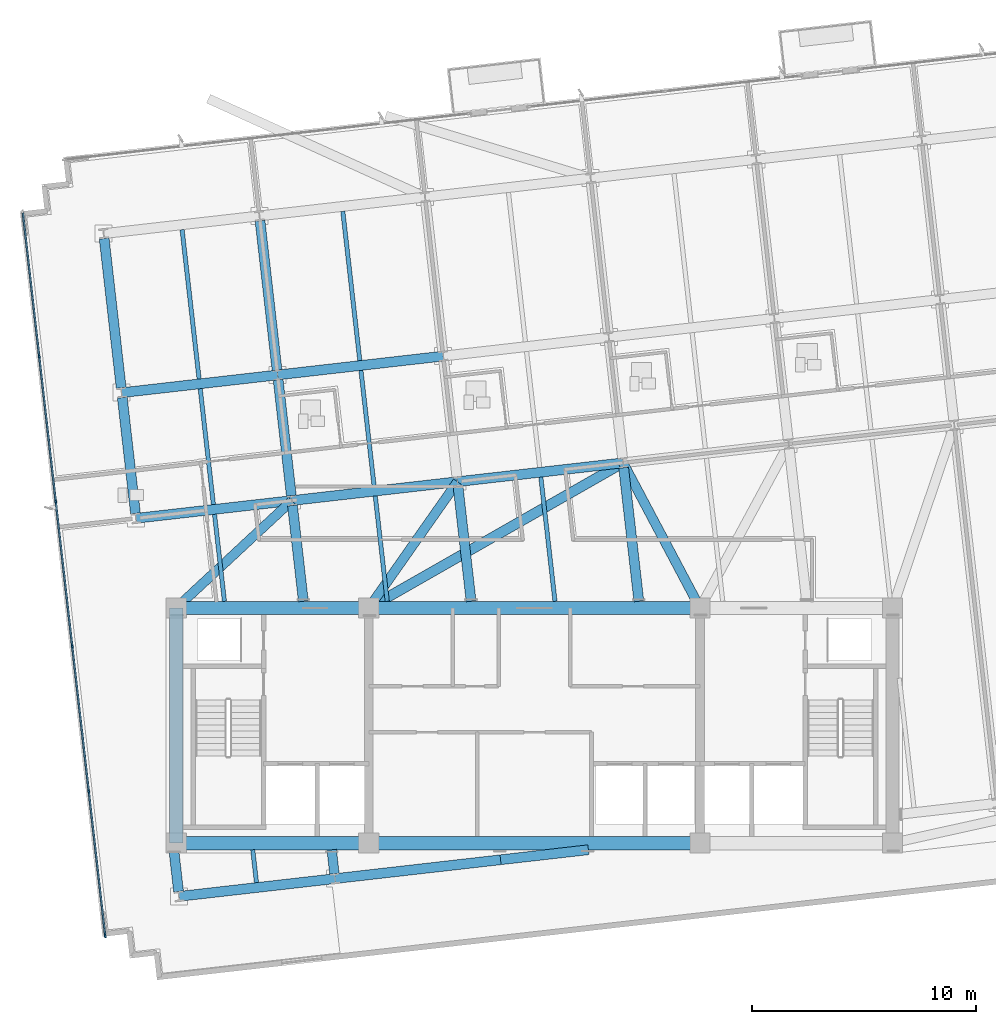
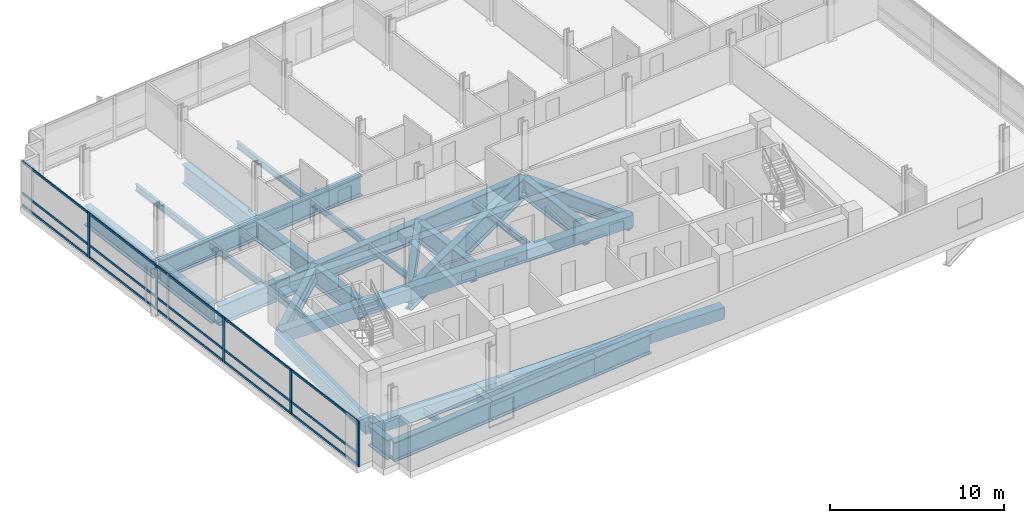
# One storey, part 2 of 15: 34 beams, 20 members, 1 element without a shape of its own.
"""IFC4 building model written with IfcOpenShell, lengths in metres."""

from ifc_helpers import new_model, si_unit, direction, frame, origin, origin_2d, place, context, subcontext, project, spatial, rectangle, i_section, extrude, material, material_profile, profile_set, type_object, element, aggregate, save


model = new_model("IFC4")

# Units and contexts
model_context = context("Model", 3, precision=1e-05, world=origin(), true_north=direction((0.0, 1.0)))
body_context = subcontext(model_context, "Body", "Model", "MODEL_VIEW")
ifc_project = project(units=[si_unit("LENGTHUNIT", "METRE"), si_unit("AREAUNIT", "SQUARE_METRE"), si_unit("VOLUMEUNIT", "CUBIC_METRE"), si_unit("PLANEANGLEUNIT", "RADIAN"), si_unit("MASSUNIT", "GRAM", prefix="KILO")], contexts=[model_context])

# Site, building, storey
site_placement = place(None, origin())
site = spatial("IfcSite", under=ifc_project, at=site_placement, CompositionType="ELEMENT")
building_placement = place(site_placement, origin())
building = spatial("IfcBuilding", under=site, at=building_placement, Name="Solmavex Isthmus Hotel", CompositionType="ELEMENT")
storey_placement = place(building_placement, frame((0.0, 0.0, 191.699951171875)))
storey = spatial("IfcBuildingStorey", under=building, at=storey_placement, Name="L51", CompositionType="ELEMENT", Elevation=191.699951171875)

# Beams
ifc_material_1 = material(Name="Steel ASTM A992 Grade 50", Category="steel")
ifc_material_profile_1 = material_profile(ifc_material_1, i_section(OverallWidth=0.1904296875, OverallDepth=0.456787109375, WebThickness=0.009033203125, FlangeThickness=0.014404296875, FilletRadius=0.0126953125, at=origin_2d()), Name="W18X50")
ifc_profile_set_1 = profile_set([ifc_material_profile_1], Name="Steel ASTM A992 Grade 50")
beam_type_1 = type_object("IfcBeamType", Name="BM-BJ-W18X50", PredefinedType="JOIST", material=ifc_profile_set_1)
beam_1_placement = place(storey_placement, frame((-12.416015625, -14.76806640625, -0.678466796875), z_axis=(-0.113187747897, 0.993573617668, 0.0), x_axis=(-0.993573617668, -0.113187747897, 0.0)))
element("IfcBeam", 1, at=beam_1_placement, inside=storey, type_object=beam_type_1, Name="Secondary Floor Joist L51-J01", PredefinedType="JOIST", context=body_context, shape_type="SweptSolid", body=[
    extrude(i_section(OverallWidth=0.1904296875, OverallDepth=0.456787109375, WebThickness=0.009033203125, FlangeThickness=0.014404296875, FilletRadius=0.0126953125, at=origin_2d()), origin(), (0.0, 0.0, 1.0), 1.4775390625),
])
beam_2_placement = place(storey_placement, frame((-13.847900390625, -2.199951171875, -0.678466796875), z_axis=(-0.113185636501, 0.993573858196, 0.0), x_axis=(-0.993573858196, -0.113185636501, 0.0)))
element("IfcBeam", 2, at=beam_2_placement, inside=storey, type_object=beam_type_1, Name="Secondary Floor Joist L51-J02", PredefinedType="JOIST", context=body_context, shape_type="SweptSolid", body=[
    extrude(i_section(OverallWidth=0.1904296875, OverallDepth=0.456787109375, WebThickness=0.009033203125, FlangeThickness=0.014404296875, FilletRadius=0.0126953125, at=origin_2d()), origin(), (0.0, 0.0, 1.0), 3.91064453125),
])
beam_3_placement = place(storey_placement, frame((-14.34033203125, 2.12255859375, -0.678466796875), z_axis=(-0.113209451059, 0.993571145007, 0.0), x_axis=(-0.993571145007, -0.113209451059, 0.0)))
element("IfcBeam", 3, at=beam_3_placement, inside=storey, type_object=beam_type_1, Name="Secondary Floor Joist L51-J03", PredefinedType="JOIST", context=body_context, shape_type="SweptSolid", body=[
    extrude(i_section(OverallWidth=0.1904296875, OverallDepth=0.456787109375, WebThickness=0.009033203125, FlangeThickness=0.014404296875, FilletRadius=0.0126953125, at=origin_2d()), origin(), (0.0, 0.0, 1.0), 5.2080078125),
])
beam_4_placement = place(storey_placement, frame((-14.979736328125, 7.734375, -0.678466796875), z_axis=(-0.113197786533, 0.993572474017, 0.0), x_axis=(-0.993572474017, -0.113197786533, 0.0)))
element("IfcBeam", 4, at=beam_4_placement, inside=storey, type_object=beam_type_1, Name="Secondary Floor Joist L51-J04", PredefinedType="JOIST", context=body_context, shape_type="SweptSolid", body=[
    extrude(i_section(OverallWidth=0.1904296875, OverallDepth=0.456787109375, WebThickness=0.009033203125, FlangeThickness=0.014404296875, FilletRadius=0.0126953125, at=origin_2d()), origin(), (0.0, 0.0, 1.0), 6.7119140625),
])
beam_5_placement = place(storey_placement, frame((-6.57421875, -2.199951171875, -0.678466796875), z_axis=(-0.113198966336, 0.993572339601, 0.0), x_axis=(-0.993572339601, -0.113198966336, 0.0)))
element("IfcBeam", 5, at=beam_5_placement, inside=storey, type_object=beam_type_1, Name="Secondary Floor Joist L51-J05", PredefinedType="JOIST", context=body_context, shape_type="SweptSolid", body=[
    extrude(i_section(OverallWidth=0.1904296875, OverallDepth=0.456787109375, WebThickness=0.009033203125, FlangeThickness=0.014404296875, FilletRadius=0.0126953125, at=origin_2d()), origin(), (0.0, 0.0, 1.0), 4.734130859375),
])
beam_6_placement = place(storey_placement, frame((-7.159912109375, 2.940673828125, -0.678466796875), z_axis=(-0.113209451059, 0.993571145007, 0.0), x_axis=(-0.993571145007, -0.113209451059, 0.0)))
element("IfcBeam", 6, at=beam_6_placement, inside=storey, type_object=beam_type_1, Name="Secondary Floor Joist L51-J06", PredefinedType="JOIST", context=body_context, shape_type="SweptSolid", body=[
    extrude(i_section(OverallWidth=0.1904296875, OverallDepth=0.456787109375, WebThickness=0.009033203125, FlangeThickness=0.014404296875, FilletRadius=0.0126953125, at=origin_2d()), origin(), (0.0, 0.0, 1.0), 5.2080078125),
])
beam_7_placement = place(storey_placement, frame((-7.79931640625, 8.552490234375, -0.678466796875), z_axis=(-0.113197786533, 0.993572474017, 0.0), x_axis=(-0.993572474017, -0.113197786533, 0.0)))
element("IfcBeam", 7, at=beam_7_placement, inside=storey, type_object=beam_type_1, Name="Secondary Floor Joist L51-J07", PredefinedType="JOIST", context=body_context, shape_type="SweptSolid", body=[
    extrude(i_section(OverallWidth=0.1904296875, OverallDepth=0.456787109375, WebThickness=0.009033203125, FlangeThickness=0.014404296875, FilletRadius=0.0126953125, at=origin_2d()), origin(), (0.0, 0.0, 1.0), 6.7119140625),
])
beam_8_placement = place(storey_placement, frame((0.920166015625, -2.199951171875, -0.678466796875), z_axis=(-0.113229586844, 0.99356885049, 0.0), x_axis=(-0.99356885049, -0.113229586844, 0.0)))
element("IfcBeam", 8, at=beam_8_placement, inside=storey, type_object=beam_type_1, Name="Secondary Floor Joist L51-J08", PredefinedType="JOIST", context=body_context, shape_type="SweptSolid", body=[
    extrude(i_section(OverallWidth=0.1904296875, OverallDepth=0.456787109375, WebThickness=0.009033203125, FlangeThickness=0.014404296875, FilletRadius=0.0126953125, at=origin_2d()), origin(), (0.0, 0.0, 1.0), 5.582275390625),
])
ifc_material_2 = material(Name="Concrete C50/60", Category="concrete")
ifc_material_profile_2 = material_profile(ifc_material_2, rectangle(XDim=0.60009765625, YDim=0.85009765625, at=origin_2d()), Name="RC600X850")
ifc_profile_set_2 = profile_set([ifc_material_profile_2], Name="Concrete C50/60")
beam_type_2 = type_object("IfcBeamType", Name="BM-CB-600X850", PredefinedType="BEAM", material=ifc_profile_set_2)
beam_9_placement = place(storey_placement, frame((-16.0, -13.0, -0.875), z_axis=(1.0, 0.0, 0.0), x_axis=(0.0, 1.0, 0.0)))
element("IfcBeam", 9, at=beam_9_placement, inside=storey, type_object=beam_type_2, Name="Core Coupling Beam L51-CB1", PredefinedType="BEAM", context=body_context, shape_type="SweptSolid", body=[
    extrude(rectangle(XDim=0.60009765625, YDim=0.85009765625, at=origin_2d()), origin(), (0.0, 0.0, 1.0), 8.60009765625),
])
beam_10_placement = place(storey_placement, frame((-7.39990234375, -13.0, -0.875), z_axis=(1.0, 0.0, 0.0), x_axis=(0.0, 1.0, 0.0)))
element("IfcBeam", 10, at=beam_10_placement, inside=storey, type_object=beam_type_2, Name="Core Coupling Beam L51-CB2", PredefinedType="BEAM", context=body_context, shape_type="SweptSolid", body=[
    extrude(rectangle(XDim=0.60009765625, YDim=0.85009765625, at=origin_2d()), origin(), (0.0, 0.0, 1.0), 14.7998046875),
])
beam_11_placement = place(storey_placement, frame((-16.0, -2.5, -0.764892578125), z_axis=(1.0, 0.0, 0.0), x_axis=(0.0, 1.0, 0.0)))
element("IfcBeam", 11, at=beam_11_placement, inside=storey, type_object=beam_type_2, Name="Core Coupling Beam L51-CB4", PredefinedType="BEAM", context=body_context, shape_type="SweptSolid", body=[
    extrude(rectangle(XDim=0.60009765625, YDim=0.85009765625, at=origin_2d()), origin(), (0.0, 0.0, 1.0), 8.60009765625),
])
beam_12_placement = place(storey_placement, frame((-7.39990234375, -2.5, -0.764892578125), z_axis=(1.0, 0.0, 0.0), x_axis=(0.0, 1.0, 0.0)))
element("IfcBeam", 12, at=beam_12_placement, inside=storey, type_object=beam_type_2, Name="Core Coupling Beam L51-CB5", PredefinedType="BEAM", context=body_context, shape_type="SweptSolid", body=[
    extrude(rectangle(XDim=0.60009765625, YDim=0.85009765625, at=origin_2d()), origin(), (0.0, 0.0, 1.0), 14.7998046875),
])
beam_13_placement = place(storey_placement, frame((-16.0, -13.0, -0.875), z_axis=(0.0, 1.0, 0.0), x_axis=(-1.0, 0.0, 0.0)))
element("IfcBeam", 13, at=beam_13_placement, inside=storey, type_object=beam_type_2, Name="Core Coupling Beam L51-CB7", PredefinedType="BEAM", context=body_context, shape_type="SweptSolid", body=[
    extrude(rectangle(XDim=0.60009765625, YDim=0.85009765625, at=origin_2d()), origin(), (0.0, 0.0, 1.0), 10.5),
])
ifc_material_3 = material(Name="Steel ASTM A572 Grade 50", Category="steel")
ifc_material_profile_3 = material_profile(ifc_material_3, i_section(OverallWidth=0.449951171875, OverallDepth=1.550048828125, WebThickness=0.031982421875, FlangeThickness=0.06494140625, FilletRadius=0.030517578125, at=origin_2d()), Name="I1550X450")
ifc_profile_set_3 = profile_set([ifc_material_profile_3], Name="Steel ASTM A572 Grade 50")
beam_type_3 = type_object("IfcBeamType", Name="BM-TB-G1550", PredefinedType="BEAM", material=ifc_profile_set_3)
beam_14_placement = place(storey_placement, frame((-7.39990234375, -2.5, -1.224853515625), z_axis=(0.86844173524, 0.495791238823, 0.0), x_axis=(-0.495791238823, 0.86844173524, 0.0)))
element("IfcBeam", 14, at=beam_14_placement, inside=storey, type_object=beam_type_3, Name="Core Outrigger Strut L50-OTCW", PredefinedType="BEAM", context=body_context, shape_type="SweptSolid", body=[
    extrude(i_section(OverallWidth=0.449951171875, OverallDepth=1.550048828125, WebThickness=0.031982421875, FlangeThickness=0.06494140625, FilletRadius=0.030517578125, at=origin_2d()), origin(), (0.0, 0.0, 1.0), 13.083251953125),
])
ifc_material_4 = material(Name="Steel ASTM A913 Grade 65", Category="steel")
ifc_material_profile_4 = material_profile(ifc_material_4, i_section(OverallWidth=0.42431640625, OverallDepth=1.09228515625, WebThickness=0.04541015625, FlangeThickness=0.08203125, FilletRadius=0.030517578125, at=origin_2d()), Name="W40X593")
ifc_profile_set_4 = profile_set([ifc_material_profile_4], Name="Steel ASTM A913 Grade 65")
beam_type_4 = type_object("IfcBeamType", Name="BM-TB-W40X397", PredefinedType="BEAM", material=ifc_profile_set_4)
beam_15_placement = place(storey_placement, frame((7.39990234375, -2.5, -0.99609375), z_axis=(-0.468278837976, 0.883580743285, 0.0), x_axis=(-0.883580743285, -0.468278837976, 0.0)))
element("IfcBeam", 15, at=beam_15_placement, inside=storey, type_object=beam_type_4, Name="Core Outrigger Strut L50-OTCE", PredefinedType="BEAM", context=body_context, shape_type="SweptSolid", body=[
    extrude(i_section(OverallWidth=0.42431640625, OverallDepth=1.09228515625, WebThickness=0.04541015625, FlangeThickness=0.08203125, FilletRadius=0.030517578125, at=origin_2d()), origin(), (0.0, 0.0, 1.0), 7.34130859375),
])
beam_16_placement = place(storey_placement, frame((-16.0, -2.5, -0.99609375), z_axis=(0.732527110288, 0.680737859013, 0.0), x_axis=(-0.680737859013, 0.732527110288, 0.0)))
element("IfcBeam", 16, at=beam_16_placement, inside=storey, type_object=beam_type_4, Name="Core Outrigger Strut L50-OTNW", PredefinedType="BEAM", context=body_context, shape_type="SweptSolid", body=[
    extrude(i_section(OverallWidth=0.42431640625, OverallDepth=1.09228515625, WebThickness=0.04541015625, FlangeThickness=0.08203125, FilletRadius=0.030517578125, at=origin_2d()), origin(), (0.0, 0.0, 1.0), 7.05224609375),
])
ifc_material_profile_5 = material_profile(ifc_material_3, i_section(OverallWidth=0.43994140625, OverallDepth=1.3798828125, WebThickness=0.030029296875, FlangeThickness=0.054931640625, FilletRadius=0.030517578125, at=origin_2d()), Name="I1380X440")
ifc_profile_set_5 = profile_set([ifc_material_profile_5], Name="Steel ASTM A572 Grade 50")
beam_type_5 = type_object("IfcBeamType", Name="BM-TG-I1380", PredefinedType="BEAM", material=ifc_profile_set_5)
beam_17_placement = place(storey_placement, frame((-15.87255859375, -15.38330078125, -1.139892578125), z_axis=(0.993574039862, 0.113184041777, 0.0), x_axis=(-0.113184041777, 0.993574039862, 0.0)))
element("IfcBeam", 17, at=beam_17_placement, inside=storey, type_object=beam_type_5, Name="Outrigger Collector Girder L51-UG01", PredefinedType="BEAM", context=body_context, shape_type="SweptSolid", body=[
    extrude(i_section(OverallWidth=0.43994140625, OverallDepth=1.3798828125, WebThickness=0.030029296875, FlangeThickness=0.054931640625, FilletRadius=0.030517578125, at=origin_2d()), origin(), (0.0, 0.0, 1.0), 7.008056640625),
])
beam_18_placement = place(storey_placement, frame((-8.909423828125, -14.590087890625, -1.139892578125), z_axis=(0.993569926006, 0.113220148984, 0.0), x_axis=(-0.113220148984, 0.993569926006, 0.0)))
element("IfcBeam", 18, at=beam_18_placement, inside=storey, type_object=beam_type_5, Name="Outrigger Collector Girder L51-UG02", PredefinedType="BEAM", context=body_context, shape_type="SweptSolid", body=[
    extrude(i_section(OverallWidth=0.43994140625, OverallDepth=1.3798828125, WebThickness=0.030029296875, FlangeThickness=0.054931640625, FilletRadius=0.030517578125, at=origin_2d()), origin(), (0.0, 0.0, 1.0), 7.44580078125),
])
beam_19_placement = place(storey_placement, frame((-1.511474609375, -13.7470703125, -1.139892578125), z_axis=(0.993575434773, 0.113171796023, 0.0), x_axis=(-0.113171796023, 0.993575434773, 0.0)))
element("IfcBeam", 19, at=beam_19_placement, inside=storey, type_object=beam_type_5, Name="Outrigger Collector Girder L51-UG03", PredefinedType="BEAM", context=body_context, shape_type="SweptSolid", body=[
    extrude(i_section(OverallWidth=0.43994140625, OverallDepth=1.3798828125, WebThickness=0.030029296875, FlangeThickness=0.054931640625, FilletRadius=0.030517578125, at=origin_2d()), origin(), (0.0, 0.0, 1.0), 3.949951171875),
])
beam_20_placement = place(storey_placement, frame((-17.796875, 1.50732421875, -1.139892578125), z_axis=(0.993569675103, 0.113222350774, 0.0), x_axis=(-0.113222350774, 0.993569675103, 0.0)))
element("IfcBeam", 20, at=beam_20_placement, inside=storey, type_object=beam_type_5, Name="Outrigger Collector Girder L51-UG06", PredefinedType="BEAM", context=body_context, shape_type="SweptSolid", body=[
    extrude(i_section(OverallWidth=0.43994140625, OverallDepth=1.3798828125, WebThickness=0.030029296875, FlangeThickness=0.054931640625, FilletRadius=0.030517578125, at=origin_2d()), origin(), (0.0, 0.0, 1.0), 7.008056640625),
])
beam_21_placement = place(storey_placement, frame((-10.833984375, 2.30078125, -1.139892578125), z_axis=(0.993574034044, 0.113184092846, 0.0), x_axis=(-0.113184092846, 0.993574034044, 0.0)))
element("IfcBeam", 21, at=beam_21_placement, inside=storey, type_object=beam_type_5, Name="Outrigger Collector Girder L51-UG07", PredefinedType="BEAM", context=body_context, shape_type="SweptSolid", body=[
    extrude(i_section(OverallWidth=0.43994140625, OverallDepth=1.3798828125, WebThickness=0.030029296875, FlangeThickness=0.054931640625, FilletRadius=0.030517578125, at=origin_2d()), origin(), (0.0, 0.0, 1.0), 7.446044921875),
])
beam_22_placement = place(storey_placement, frame((-3.435791015625, 3.1435546875, -1.139892578125), z_axis=(0.993569926006, 0.113220148984, 0.0), x_axis=(-0.113220148984, 0.993569926006, 0.0)))
element("IfcBeam", 22, at=beam_22_placement, inside=storey, type_object=beam_type_5, Name="Outrigger Collector Girder L51-UG08", PredefinedType="BEAM", context=body_context, shape_type="SweptSolid", body=[
    extrude(i_section(OverallWidth=0.43994140625, OverallDepth=1.3798828125, WebThickness=0.030029296875, FlangeThickness=0.054931640625, FilletRadius=0.030517578125, at=origin_2d()), origin(), (0.0, 0.0, 1.0), 7.44580078125),
])
beam_23_placement = place(storey_placement, frame((-18.436279296875, 7.119140625, -1.139892578125), z_axis=(0.99357359356, 0.113187959519, 0.0), x_axis=(-0.113187959519, 0.99357359356, 0.0)))
element("IfcBeam", 23, at=beam_23_placement, inside=storey, type_object=beam_type_5, Name="Outrigger Collector Girder L51-UG12", PredefinedType="BEAM", context=body_context, shape_type="SweptSolid", body=[
    extrude(i_section(OverallWidth=0.43994140625, OverallDepth=1.3798828125, WebThickness=0.030029296875, FlangeThickness=0.054931640625, FilletRadius=0.030517578125, at=origin_2d()), origin(), (0.0, 0.0, 1.0), 7.0078125),
])
beam_24_placement = place(storey_placement, frame((-11.473388671875, 7.912353515625, -1.139892578125), z_axis=(0.9935703463, 0.113216460607, 0.0), x_axis=(-0.113216460607, 0.9935703463, 0.0)))
element("IfcBeam", 24, at=beam_24_placement, inside=storey, type_object=beam_type_5, Name="Outrigger Collector Girder L51-UG13", PredefinedType="BEAM", context=body_context, shape_type="SweptSolid", body=[
    extrude(i_section(OverallWidth=0.43994140625, OverallDepth=1.3798828125, WebThickness=0.030029296875, FlangeThickness=0.054931640625, FilletRadius=0.030517578125, at=origin_2d()), origin(), (0.0, 0.0, 1.0), 7.446044921875),
])
beam_25_placement = place(storey_placement, frame((-15.8974609375, -15.164794921875, -1.139892578125), z_axis=(-0.113172371204, 0.993575369258, 0.0), x_axis=(-0.993575369258, -0.113172371204, 0.0)))
element("IfcBeam", 25, at=beam_25_placement, inside=storey, type_object=beam_type_5, Name="Outrigger Collector Beam L51-VG24", PredefinedType="BEAM", context=body_context, shape_type="SweptSolid", body=[
    extrude(i_section(OverallWidth=0.43994140625, OverallDepth=1.3798828125, WebThickness=0.030029296875, FlangeThickness=0.054931640625, FilletRadius=0.030517578125, at=origin_2d()), origin(), (0.0, 0.0, 1.0), 1.876708984375),
])
beam_26_placement = place(storey_placement, frame((-17.82177734375, 1.725830078125, -1.139892578125), z_axis=(-0.113209451059, 0.993571145007, 0.0), x_axis=(-0.993571145007, -0.113209451059, 0.0)))
element("IfcBeam", 26, at=beam_26_placement, inside=storey, type_object=beam_type_5, Name="Outrigger Collector Beam L51-VG25", PredefinedType="BEAM", context=body_context, shape_type="SweptSolid", body=[
    extrude(i_section(OverallWidth=0.43994140625, OverallDepth=1.3798828125, WebThickness=0.030029296875, FlangeThickness=0.054931640625, FilletRadius=0.030517578125, at=origin_2d()), origin(), (0.0, 0.0, 1.0), 5.2080078125),
])
beam_27_placement = place(storey_placement, frame((-18.461181640625, 7.337646484375, -1.139892578125), z_axis=(-0.11319369562, 0.993572940086, 0.0), x_axis=(-0.993572940086, -0.11319369562, 0.0)))
element("IfcBeam", 27, at=beam_27_placement, inside=storey, type_object=beam_type_5, Name="Outrigger Collector Beam L51-VG26", PredefinedType="BEAM", context=body_context, shape_type="SweptSolid", body=[
    extrude(i_section(OverallWidth=0.43994140625, OverallDepth=1.3798828125, WebThickness=0.030029296875, FlangeThickness=0.054931640625, FilletRadius=0.030517578125, at=origin_2d()), origin(), (0.0, 0.0, 1.0), 6.712158203125),
])
beam_28_placement = place(storey_placement, frame((-10.3212890625, -2.199951171875, -1.139892578125), z_axis=(-0.113185506487, 0.993573873007, 0.0), x_axis=(-0.993573873007, -0.113185506487, 0.0)))
element("IfcBeam", 28, at=beam_28_placement, inside=storey, type_object=beam_type_5, Name="Outrigger Collector Beam L51-VG28", PredefinedType="BEAM", context=body_context, shape_type="SweptSolid", body=[
    extrude(i_section(OverallWidth=0.43994140625, OverallDepth=1.3798828125, WebThickness=0.030029296875, FlangeThickness=0.054931640625, FilletRadius=0.030517578125, at=origin_2d()), origin(), (0.0, 0.0, 1.0), 4.3095703125),
])
beam_29_placement = place(storey_placement, frame((-10.85888671875, 2.519287109375, -1.139892578125), z_axis=(-0.113209451059, 0.993571145007, 0.0), x_axis=(-0.993571145007, -0.113209451059, 0.0)))
element("IfcBeam", 29, at=beam_29_placement, inside=storey, type_object=beam_type_5, Name="Outrigger Collector Beam L51-VG29", PredefinedType="BEAM", context=body_context, shape_type="SweptSolid", body=[
    extrude(i_section(OverallWidth=0.43994140625, OverallDepth=1.3798828125, WebThickness=0.030029296875, FlangeThickness=0.054931640625, FilletRadius=0.030517578125, at=origin_2d()), origin(), (0.0, 0.0, 1.0), 5.2080078125),
])
beam_30_placement = place(storey_placement, frame((-11.498291015625, 8.130859375, -1.139892578125), z_axis=(-0.11319369562, 0.993572940086, 0.0), x_axis=(-0.993572940086, -0.11319369562, 0.0)))
element("IfcBeam", 30, at=beam_30_placement, inside=storey, type_object=beam_type_5, Name="Outrigger Collector Beam L51-VG30", PredefinedType="BEAM", context=body_context, shape_type="SweptSolid", body=[
    extrude(i_section(OverallWidth=0.43994140625, OverallDepth=1.3798828125, WebThickness=0.030029296875, FlangeThickness=0.054931640625, FilletRadius=0.030517578125, at=origin_2d()), origin(), (0.0, 0.0, 1.0), 6.712158203125),
])
beam_31_placement = place(storey_placement, frame((-2.8271484375, -2.199951171875, -1.139892578125), z_axis=(-0.113168810858, 0.99357577479, 0.0), x_axis=(-0.99357577479, -0.113168810858, 0.0)))
element("IfcBeam", 31, at=beam_31_placement, inside=storey, type_object=beam_type_5, Name="Outrigger Collector Beam L51-VG31", PredefinedType="BEAM", context=body_context, shape_type="SweptSolid", body=[
    extrude(i_section(OverallWidth=0.43994140625, OverallDepth=1.3798828125, WebThickness=0.030029296875, FlangeThickness=0.054931640625, FilletRadius=0.030517578125, at=origin_2d()), origin(), (0.0, 0.0, 1.0), 5.158203125),
])
beam_32_placement = place(storey_placement, frame((4.667236328125, -2.199951171875, -1.139892578125), z_axis=(-0.113241653821, 0.993567475233, 0.0), x_axis=(-0.993567475233, -0.113241653821, 0.0)))
element("IfcBeam", 32, at=beam_32_placement, inside=storey, type_object=beam_type_5, Name="Outrigger Collector Beam L51-VG34", PredefinedType="BEAM", context=body_context, shape_type="SweptSolid", body=[
    extrude(i_section(OverallWidth=0.43994140625, OverallDepth=1.3798828125, WebThickness=0.030029296875, FlangeThickness=0.054931640625, FilletRadius=0.030517578125, at=origin_2d()), origin(), (0.0, 0.0, 1.0), 6.00634765625),
])
ifc_material_profile_6 = material_profile(ifc_material_4, i_section(OverallWidth=0.42431640625, OverallDepth=1.09228515625, WebThickness=0.04541015625, FlangeThickness=0.08203125, FilletRadius=0.030517578125, at=origin_2d()), Name="W40X593")
ifc_profile_set_6 = profile_set([ifc_material_profile_6], Name="Steel ASTM A913 Grade 65")
beam_type_6 = type_object("IfcBeamType", Name="BM-TG-W40X593", PredefinedType="BEAM", material=ifc_profile_set_6)
beam_33_placement = place(storey_placement, frame((-7.39990234375, -2.5, -0.99609375), z_axis=(0.57478730587, 0.818302849201, 0.0), x_axis=(-0.818302849201, 0.57478730587, 0.0)))
element("IfcBeam", 33, at=beam_33_placement, inside=storey, type_object=beam_type_6, Name="Core Outrigger Strut L50-OTW", PredefinedType="BEAM", context=body_context, shape_type="SweptSolid", body=[
    extrude(i_section(OverallWidth=0.42431640625, OverallDepth=1.09228515625, WebThickness=0.04541015625, FlangeThickness=0.08203125, FilletRadius=0.030517578125, at=origin_2d()), origin(), (0.0, 0.0, 1.0), 6.896728515625),
])
beam_34_placement = place(storey_placement, frame((-8.9345703125, -14.37158203125, -0.99609375), z_axis=(-0.113189048699, 0.99357346948, 0.0), x_axis=(-0.99357346948, -0.113189048699, 0.0)))
element("IfcBeam", 34, at=beam_34_placement, inside=storey, type_object=beam_type_6, Name="Outrigger Collector Beam L51-VG27", PredefinedType="BEAM", context=body_context, shape_type="SweptSolid", body=[
    extrude(i_section(OverallWidth=0.42431640625, OverallDepth=1.09228515625, WebThickness=0.04541015625, FlangeThickness=0.08203125, FilletRadius=0.030517578125, at=origin_2d()), origin(), (0.0, 0.0, 1.0), 1.078369140625),
])

# Curtain wall, members
ifc_material_5 = material(Name="Aluminium alloy 6063-T6", Category="aluminium")
curtain_wall_type = type_object("IfcCurtainWallType", Name="CW-SYS-04", PredefinedType="NOTDEFINED", material=ifc_material_5)
curtain_wall_placement = place(storey_placement, origin())
curtain_wall = element("IfcCurtainWall", 35, at=curtain_wall_placement, inside=storey, type_object=curtain_wall_type, Name="Stick Curtain Wall CWL-L51-W1", PredefinedType="NOTDEFINED")
ifc_material_profile_7 = material_profile(ifc_material_5, rectangle(XDim=0.074951171875, YDim=0.199951171875, at=origin_2d()), Name="CWM-75X200")
ifc_profile_set_7 = profile_set([ifc_material_profile_7], Name="Aluminium alloy 6063-T6")
member_type_1 = type_object("IfcMemberType", Name="CW-SYS-04-MUL", PredefinedType="MULLION", material=ifc_profile_set_7)
member_1_placement = place(storey_placement, frame((-19.17578125, -17.131103515625, 0.0), z_axis=(0.0, 0.0, 1.0), x_axis=(-0.993571836648, -0.11320338078, 0.0)))
member_1 = element("IfcMember", 36, at=member_1_placement, type_object=member_type_1, Name="CW-04 mullion 1", PredefinedType="MULLION", context=body_context, shape_type="SweptSolid", body=[
    extrude(rectangle(XDim=0.074951171875, YDim=0.199951171875, at=origin_2d()), origin(), (0.0, 0.0, 1.0), 3.18994140625),
])
member_2_placement = place(storey_placement, frame((-19.90966796875, -10.690185546875, 0.0), z_axis=(0.0, 0.0, 1.0), x_axis=(-0.993571836648, -0.11320338078, 0.0)))
member_2 = element("IfcMember", 37, at=member_2_placement, type_object=member_type_1, Name="CW-04 mullion 2", PredefinedType="MULLION", context=body_context, shape_type="SweptSolid", body=[
    extrude(rectangle(XDim=0.074951171875, YDim=0.199951171875, at=origin_2d()), origin(), (0.0, 0.0, 1.0), 3.18994140625),
])
member_3_placement = place(storey_placement, frame((-20.647705078125, -4.212158203125, 0.0), z_axis=(0.0, 0.0, 1.0), x_axis=(-0.993571836648, -0.11320338078, 0.0)))
member_3 = element("IfcMember", 38, at=member_3_placement, type_object=member_type_1, Name="CW-04 mullion 3", PredefinedType="MULLION", context=body_context, shape_type="SweptSolid", body=[
    extrude(rectangle(XDim=0.074951171875, YDim=0.199951171875, at=origin_2d()), origin(), (0.0, 0.0, 1.0), 3.18994140625),
])
member_4_placement = place(storey_placement, frame((-21.385986328125, 2.265869140625, 0.0), z_axis=(0.0, 0.0, 1.0), x_axis=(-0.993571836648, -0.11320338078, 0.0)))
member_4 = element("IfcMember", 39, at=member_4_placement, type_object=member_type_1, Name="CW-04 mullion 4", PredefinedType="MULLION", context=body_context, shape_type="SweptSolid", body=[
    extrude(rectangle(XDim=0.074951171875, YDim=0.199951171875, at=origin_2d()), origin(), (0.0, 0.0, 1.0), 3.18994140625),
])
member_5_placement = place(storey_placement, frame((-22.1240234375, 8.744140625, 0.0), z_axis=(0.0, 0.0, 1.0), x_axis=(-0.993571836648, -0.11320338078, 0.0)))
member_5 = element("IfcMember", 40, at=member_5_placement, type_object=member_type_1, Name="CW-04 mullion 5", PredefinedType="MULLION", context=body_context, shape_type="SweptSolid", body=[
    extrude(rectangle(XDim=0.074951171875, YDim=0.199951171875, at=origin_2d()), origin(), (0.0, 0.0, 1.0), 3.18994140625),
])
ifc_material_profile_8 = material_profile(ifc_material_5, rectangle(XDim=0.074951171875, YDim=0.14990234375, at=origin_2d()), Name="CWT-75X150")
ifc_profile_set_8 = profile_set([ifc_material_profile_8], Name="Aluminium alloy 6063-T6")
member_type_2 = type_object("IfcMemberType", Name="CW-SYS-04-TRN", PredefinedType="USERDEFINED", material=ifc_profile_set_8)
member_6_placement = place(storey_placement, frame((-19.18017578125, -17.09375, 0.074951171875), z_axis=(-0.113203780919, 0.993571791058, 0.0), x_axis=(-0.993571791058, -0.113203780919, 0.0)))
member_6 = element("IfcMember", 41, at=member_6_placement, type_object=member_type_2, Name="CW-04 transom 1.1", ObjectType="TRANSOM", PredefinedType="USERDEFINED", context=body_context, shape_type="SweptSolid", body=[
    extrude(rectangle(XDim=0.074951171875, YDim=0.14990234375, at=origin_2d()), origin(), (0.0, 0.0, 1.0), 6.407470703125),
])
member_7_placement = place(storey_placement, frame((-19.18017578125, -17.09375, 0.900146484375), z_axis=(-0.113203780919, 0.993571791058, 0.0), x_axis=(-0.993571791058, -0.113203780919, 0.0)))
member_7 = element("IfcMember", 42, at=member_7_placement, type_object=member_type_2, Name="CW-04 transom 1.2", ObjectType="TRANSOM", PredefinedType="USERDEFINED", context=body_context, shape_type="SweptSolid", body=[
    extrude(rectangle(XDim=0.074951171875, YDim=0.14990234375, at=origin_2d()), origin(), (0.0, 0.0, 1.0), 6.407470703125),
])
member_8_placement = place(storey_placement, frame((-19.18017578125, -17.09375, 3.114990234375), z_axis=(-0.113203780919, 0.993571791058, 0.0), x_axis=(-0.993571791058, -0.113203780919, 0.0)))
member_8 = element("IfcMember", 43, at=member_8_placement, type_object=member_type_2, Name="CW-04 transom 1.3", ObjectType="TRANSOM", PredefinedType="USERDEFINED", context=body_context, shape_type="SweptSolid", body=[
    extrude(rectangle(XDim=0.074951171875, YDim=0.14990234375, at=origin_2d()), origin(), (0.0, 0.0, 1.0), 6.407470703125),
])
member_9_placement = place(storey_placement, frame((-19.9140625, -10.653076171875, 0.074951171875), z_axis=(-0.113187617296, 0.993573632546, 0.0), x_axis=(-0.993573632546, -0.113187617296, 0.0)))
member_9 = element("IfcMember", 44, at=member_9_placement, type_object=member_type_2, Name="CW-04 transom 2.1", ObjectType="TRANSOM", PredefinedType="USERDEFINED", context=body_context, shape_type="SweptSolid", body=[
    extrude(rectangle(XDim=0.074951171875, YDim=0.14990234375, at=origin_2d()), origin(), (0.0, 0.0, 1.0), 6.445068359375),
])
member_10_placement = place(storey_placement, frame((-19.9140625, -10.653076171875, 0.900146484375), z_axis=(-0.113187617296, 0.993573632546, 0.0), x_axis=(-0.993573632546, -0.113187617296, 0.0)))
member_10 = element("IfcMember", 45, at=member_10_placement, type_object=member_type_2, Name="CW-04 transom 2.2", ObjectType="TRANSOM", PredefinedType="USERDEFINED", context=body_context, shape_type="SweptSolid", body=[
    extrude(rectangle(XDim=0.074951171875, YDim=0.14990234375, at=origin_2d()), origin(), (0.0, 0.0, 1.0), 6.445068359375),
])
member_11_placement = place(storey_placement, frame((-19.9140625, -10.653076171875, 3.114990234375), z_axis=(-0.113187617296, 0.993573632546, 0.0), x_axis=(-0.993573632546, -0.113187617296, 0.0)))
member_11 = element("IfcMember", 46, at=member_11_placement, type_object=member_type_2, Name="CW-04 transom 2.3", ObjectType="TRANSOM", PredefinedType="USERDEFINED", context=body_context, shape_type="SweptSolid", body=[
    extrude(rectangle(XDim=0.074951171875, YDim=0.14990234375, at=origin_2d()), origin(), (0.0, 0.0, 1.0), 6.445068359375),
])
member_12_placement = place(storey_placement, frame((-20.652099609375, -4.1748046875, 0.074951171875), z_axis=(-0.113187617296, 0.993573632546, 0.0), x_axis=(-0.993573632546, -0.113187617296, 0.0)))
member_12 = element("IfcMember", 47, at=member_12_placement, type_object=member_type_2, Name="CW-04 transom 3.1", ObjectType="TRANSOM", PredefinedType="USERDEFINED", context=body_context, shape_type="SweptSolid", body=[
    extrude(rectangle(XDim=0.074951171875, YDim=0.14990234375, at=origin_2d()), origin(), (0.0, 0.0, 1.0), 6.445068359375),
])
member_13_placement = place(storey_placement, frame((-20.652099609375, -4.1748046875, 0.900146484375), z_axis=(-0.113187617296, 0.993573632546, 0.0), x_axis=(-0.993573632546, -0.113187617296, 0.0)))
member_13 = element("IfcMember", 48, at=member_13_placement, type_object=member_type_2, Name="CW-04 transom 3.2", ObjectType="TRANSOM", PredefinedType="USERDEFINED", context=body_context, shape_type="SweptSolid", body=[
    extrude(rectangle(XDim=0.074951171875, YDim=0.14990234375, at=origin_2d()), origin(), (0.0, 0.0, 1.0), 6.445068359375),
])
member_14_placement = place(storey_placement, frame((-20.652099609375, -4.1748046875, 3.114990234375), z_axis=(-0.113187617296, 0.993573632546, 0.0), x_axis=(-0.993573632546, -0.113187617296, 0.0)))
member_14 = element("IfcMember", 49, at=member_14_placement, type_object=member_type_2, Name="CW-04 transom 3.3", ObjectType="TRANSOM", PredefinedType="USERDEFINED", context=body_context, shape_type="SweptSolid", body=[
    extrude(rectangle(XDim=0.074951171875, YDim=0.14990234375, at=origin_2d()), origin(), (0.0, 0.0, 1.0), 6.445068359375),
])
member_15_placement = place(storey_placement, frame((-21.39013671875, 2.30322265625, 0.074951171875), z_axis=(-0.113187617296, 0.993573632546, 0.0), x_axis=(-0.993573632546, -0.113187617296, 0.0)))
member_15 = element("IfcMember", 50, at=member_15_placement, type_object=member_type_2, Name="CW-04 transom 4.1", ObjectType="TRANSOM", PredefinedType="USERDEFINED", context=body_context, shape_type="SweptSolid", body=[
    extrude(rectangle(XDim=0.074951171875, YDim=0.14990234375, at=origin_2d()), origin(), (0.0, 0.0, 1.0), 6.445068359375),
])
member_16_placement = place(storey_placement, frame((-21.39013671875, 2.30322265625, 0.900146484375), z_axis=(-0.113187617296, 0.993573632546, 0.0), x_axis=(-0.993573632546, -0.113187617296, 0.0)))
member_16 = element("IfcMember", 51, at=member_16_placement, type_object=member_type_2, Name="CW-04 transom 4.2", ObjectType="TRANSOM", PredefinedType="USERDEFINED", context=body_context, shape_type="SweptSolid", body=[
    extrude(rectangle(XDim=0.074951171875, YDim=0.14990234375, at=origin_2d()), origin(), (0.0, 0.0, 1.0), 6.445068359375),
])
member_17_placement = place(storey_placement, frame((-21.39013671875, 2.30322265625, 3.114990234375), z_axis=(-0.113187617296, 0.993573632546, 0.0), x_axis=(-0.993573632546, -0.113187617296, 0.0)))
member_17 = element("IfcMember", 52, at=member_17_placement, type_object=member_type_2, Name="CW-04 transom 4.3", ObjectType="TRANSOM", PredefinedType="USERDEFINED", context=body_context, shape_type="SweptSolid", body=[
    extrude(rectangle(XDim=0.074951171875, YDim=0.14990234375, at=origin_2d()), origin(), (0.0, 0.0, 1.0), 6.445068359375),
])
member_18_placement = place(storey_placement, frame((-22.128173828125, 8.78125, 0.074951171875), z_axis=(-0.113199495412, 0.993572279323, 0.0), x_axis=(-0.993572279323, -0.113199495412, 0.0)))
member_18 = element("IfcMember", 53, at=member_18_placement, type_object=member_type_2, Name="CW-04 transom 5.1", ObjectType="TRANSOM", PredefinedType="USERDEFINED", context=body_context, shape_type="SweptSolid", body=[
    extrude(rectangle(XDim=0.074951171875, YDim=0.14990234375, at=origin_2d()), origin(), (0.0, 0.0, 1.0), 6.40771484375),
])
member_19_placement = place(storey_placement, frame((-22.128173828125, 8.78125, 0.900146484375), z_axis=(-0.113199495412, 0.993572279323, 0.0), x_axis=(-0.993572279323, -0.113199495412, 0.0)))
member_19 = element("IfcMember", 54, at=member_19_placement, type_object=member_type_2, Name="CW-04 transom 5.2", ObjectType="TRANSOM", PredefinedType="USERDEFINED", context=body_context, shape_type="SweptSolid", body=[
    extrude(rectangle(XDim=0.074951171875, YDim=0.14990234375, at=origin_2d()), origin(), (0.0, 0.0, 1.0), 6.40771484375),
])
member_20_placement = place(storey_placement, frame((-22.128173828125, 8.78125, 3.114990234375), z_axis=(-0.113199495412, 0.993572279323, 0.0), x_axis=(-0.993572279323, -0.113199495412, 0.0)))
member_20 = element("IfcMember", 55, at=member_20_placement, type_object=member_type_2, Name="CW-04 transom 5.3", ObjectType="TRANSOM", PredefinedType="USERDEFINED", context=body_context, shape_type="SweptSolid", body=[
    extrude(rectangle(XDim=0.074951171875, YDim=0.14990234375, at=origin_2d()), origin(), (0.0, 0.0, 1.0), 6.40771484375),
])
aggregate(curtain_wall, [member_1, member_2, member_3, member_4, member_5, member_6, member_7, member_8, member_9, member_10, member_11, member_12, member_13, member_14, member_15, member_16, member_17, member_18, member_19, member_20])

save(model, "model.ifc")
